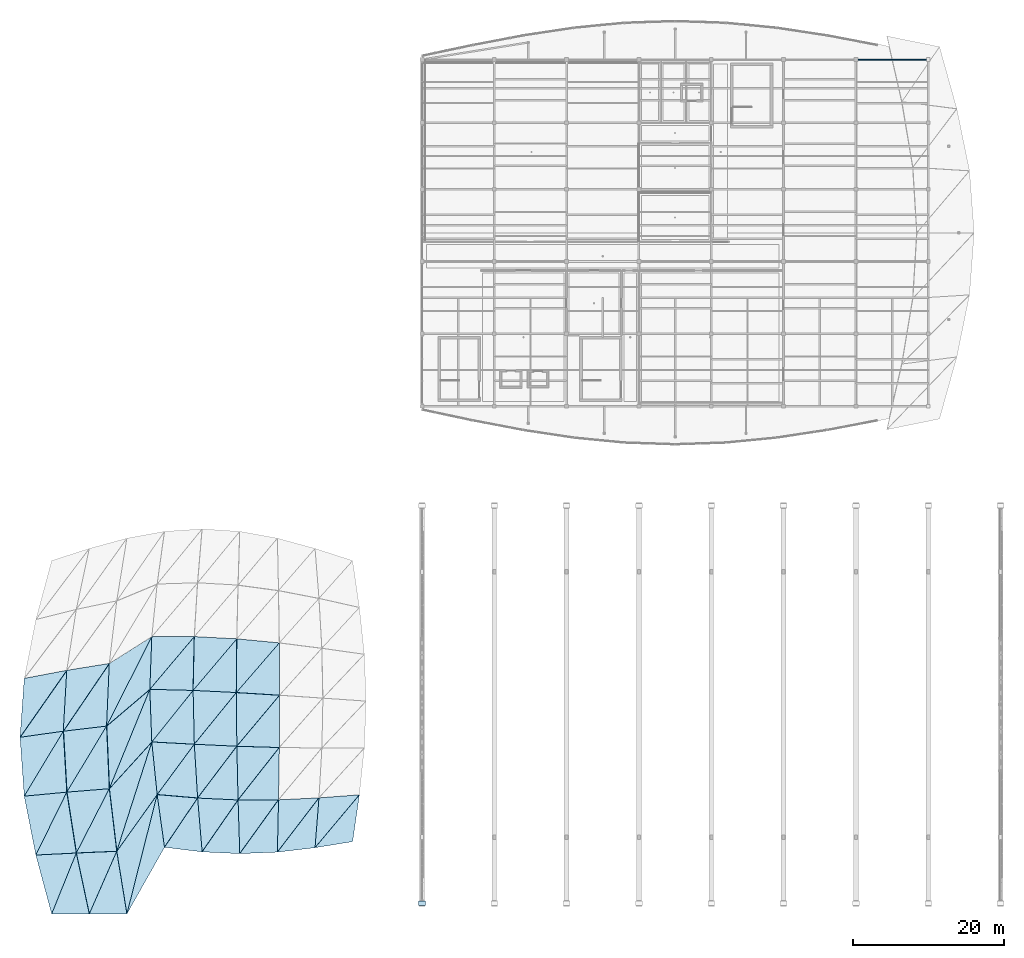
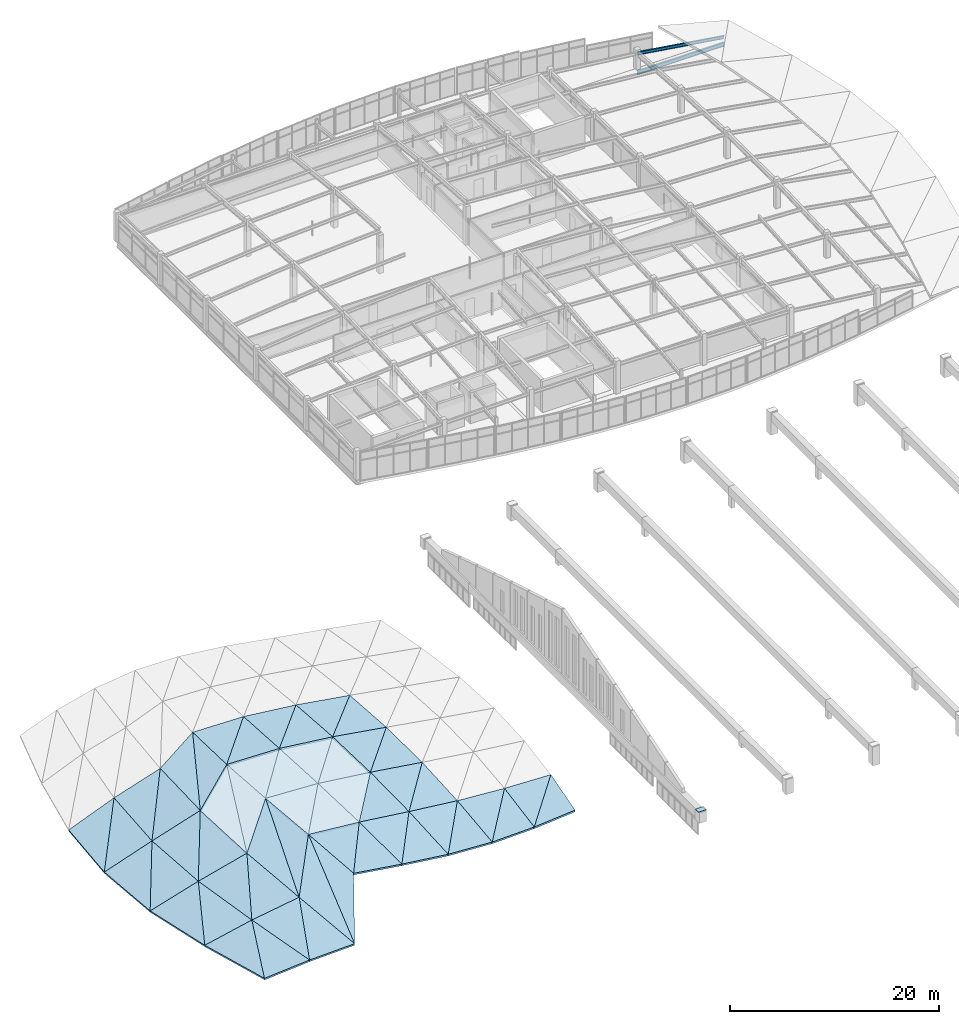
# One storey, part 50 of 65: 52 slabs, 1 beam, 1 member, 1 plate.
"""IFC4 building model written with IfcOpenShell, lengths in metres."""

import ifcopenshell
import ifcopenshell.guid

model = None  # the IFC model being written
_history = None  # IfcOwnerHistory: only IFC2X3 demands one
_inside = {}  # id of a spatial element -> (the spatial element, [elements in it])
_under = {}  # id of a project, library or spatial element -> (it, [spatial elements below it])
_declared = {}  # id of a project -> (the project, [libraries it declares])
_typed = {}  # id of a type object -> (the type object, [elements of that type])
_made_of = {}  # id of a material, layer set ... -> (it, [elements and type objects made of it])


def new_model(schema):
    """Start an empty IFC model of exactly this schema.

    Asked for "IFC4X3", IfcOpenShell would pick the latest addendum, in which some entities
    have other attributes; the version numbers below select the first issue.
    IFC2X3 requires an IfcOwnerHistory on every rooted entity: one is made here for all.
    """
    global model, _history
    if schema == "IFC4X3":
        model = ifcopenshell.file(schema_version=(4, 3, 0, 0))
    else:
        model = ifcopenshell.file(schema=schema)
    _inside.clear()
    _under.clear()
    _declared.clear()
    _typed.clear()
    _made_of.clear()
    _history = None
    if model.schema == "IFC2X3":
        org = make("IfcOrganization", Name="unknown")
        user = make(
            "IfcPersonAndOrganization",
            ThePerson=make("IfcPerson", FamilyName="unknown"),
            TheOrganization=org,
        )
        app = make(
            "IfcApplication",
            ApplicationDeveloper=org,
            Version="unknown",
            ApplicationFullName="unknown",
            ApplicationIdentifier="unknown",
        )
        _history = make(
            "IfcOwnerHistory",
            OwningUser=user,
            OwningApplication=app,
            ChangeAction="ADDED",
            CreationDate=0,
        )
    return model


def make(cls, **values):
    """One entity of the class cls with the attributes given. An attribute that is None is left unset."""
    return model.create_entity(
        cls, **{name: value for name, value in values.items() if value is not None}
    )


def rooted(cls, **values):
    """An entity with a GlobalId (a new one), such as an element, a storey or a relation."""
    return make(cls, GlobalId=ifcopenshell.guid.new(), OwnerHistory=_history, **values)


def si_unit(unit_type, name, prefix=None):
    """IfcSIUnit, for example si_unit("LENGTHUNIT", "METRE", prefix="MILLI")."""
    return make("IfcSIUnit", UnitType=unit_type, Prefix=prefix, Name=name)


def assignment(units):
    """IfcUnitAssignment: the units of a project."""
    return None if units is None else make("IfcUnitAssignment", Units=units)


def point(xyz):
    """IfcCartesianPoint."""
    return None if xyz is None else make("IfcCartesianPoint", Coordinates=xyz)


def direction(xyz):
    """IfcDirection."""
    return None if xyz is None else make("IfcDirection", DirectionRatios=xyz)


def frame(location, z_axis=None, x_axis=None):
    """IfcAxis2Placement3D, a coordinate frame: its origin and axes. An axis left out is left unset."""
    return make(
        "IfcAxis2Placement3D",
        Location=point(location),
        Axis=direction(z_axis),
        RefDirection=direction(x_axis),
    )


def frame_2d(location, x_axis=None):
    """IfcAxis2Placement2D, a coordinate frame in the plane: its origin and x axis."""
    return make(
        "IfcAxis2Placement2D", Location=point(location), RefDirection=direction(x_axis)
    )


def origin():
    """The frame at (0, 0, 0) with its axes left unset."""
    return frame((0.0, 0.0, 0.0))


def origin_2d():
    """The frame at (0, 0) in the plane with its x axis left unset."""
    return frame_2d((0.0, 0.0))


def place(relative_to, where):
    """IfcLocalPlacement: puts the frame where relative to a parent placement (None: the world)."""
    return make(
        "IfcLocalPlacement", PlacementRelTo=relative_to, RelativePlacement=where
    )


def context(
    kind, dimensions, precision=None, world=None, true_north=None, identifier=None
):
    """IfcGeometricRepresentationContext, for example the 3D "Model" context."""
    return make(
        "IfcGeometricRepresentationContext",
        ContextIdentifier=identifier,
        ContextType=kind,
        CoordinateSpaceDimension=dimensions,
        Precision=precision,
        WorldCoordinateSystem=world,
        TrueNorth=true_north,
    )


def subcontext(parent, identifier, kind, view, scale=None):
    """IfcGeometricRepresentationSubContext, for example "Body" below "Model"."""
    return make(
        "IfcGeometricRepresentationSubContext",
        ContextIdentifier=identifier,
        ContextType=kind,
        ParentContext=parent,
        TargetScale=scale,
        TargetView=view,
    )


def project(units=None, contexts=None):
    """IfcProject with its units and contexts."""
    return rooted(
        "IfcProject",
        Name="project",
        RepresentationContexts=contexts,
        UnitsInContext=assignment(units),
    )


def spatial(cls, under=None, at=None, **own):
    """A site, building, storey or space (cls), placed at a placement, below another one or the project."""
    s = rooted(cls, ObjectPlacement=at, **own)
    if under is not None:
        _under.setdefault(under.id(), (under, []))[1].append(s)
    return s


def polyline(points):
    """IfcPolyline through the points."""
    return make("IfcPolyline", Points=[point(p) for p in points])


def profile(cls, at=None, kind="AREA", **sizes):
    """A parametric profile (cls). Its sizes go by their IFC names, for example OverallWidth=200.0."""
    return make(cls, ProfileType=kind, Position=at, **sizes)


def rectangle(**sizes):
    """IfcRectangleProfileDef."""
    return profile("IfcRectangleProfileDef", **sizes)


def i_section(**sizes):
    """IfcIShapeProfileDef."""
    return profile("IfcIShapeProfileDef", **sizes)


def outline(outer, holes=None, kind="AREA"):
    """IfcArbitraryClosedProfileDef: a profile drawn as a closed curve; with holes, ...WithVoids."""
    if holes is None:
        return make("IfcArbitraryClosedProfileDef", ProfileType=kind, OuterCurve=outer)
    return make(
        "IfcArbitraryProfileDefWithVoids",
        ProfileType=kind,
        OuterCurve=outer,
        InnerCurves=holes,
    )


def extrude(swept, where, along, depth):
    """IfcExtrudedAreaSolid: the profile swept, set in the frame where, extruded along a direction by depth."""
    return make(
        "IfcExtrudedAreaSolid",
        SweptArea=swept,
        Position=where,
        ExtrudedDirection=direction(along),
        Depth=depth,
    )


def shape(context_of_items, identifier, shape_type, items):
    """IfcShapeRepresentation: the items that make up one representation, for example the "Body"."""
    return make(
        "IfcShapeRepresentation",
        ContextOfItems=context_of_items,
        RepresentationIdentifier=identifier,
        RepresentationType=shape_type,
        Items=items,
    )


def material(Name=None, Category=None):
    """IfcMaterial."""
    return make("IfcMaterial", Name=Name, Category=Category)


def layer(
    of_material, thickness, ventilated=None, Name=None, Category=None, Priority=None
):
    """IfcMaterialLayer: one layer of a wall or slab, of a material (None: an air gap)."""
    return make(
        "IfcMaterialLayer",
        Material=of_material,
        LayerThickness=thickness,
        IsVentilated=ventilated,
        Name=Name,
        Category=Category,
        Priority=Priority,
    )


def layer_set(layers, Name=None):
    """IfcMaterialLayerSet."""
    return make("IfcMaterialLayerSet", MaterialLayers=layers, LayerSetName=Name)


def material_profile(
    of_material, cross_section, Name=None, Category=None, Priority=None
):
    """IfcMaterialProfile: a cross section and its material."""
    return make(
        "IfcMaterialProfile",
        Name=Name,
        Material=of_material,
        Profile=cross_section,
        Priority=Priority,
        Category=Category,
    )


def profile_set(profiles, Name=None, composite=None):
    """IfcMaterialProfileSet."""
    return make(
        "IfcMaterialProfileSet",
        Name=Name,
        MaterialProfiles=profiles,
        CompositeProfile=composite,
    )


def made_of(thing, what):
    """Note that an element or type object is made of a material, layer set ...; save() writes the relation."""
    if what is not None:
        _made_of.setdefault(what.id(), (what, []))[1].append(thing)
    return thing


def type_object(cls, material=None, **own):
    """A type object (cls), such as IfcWallType, which elements share."""
    return made_of(rooted(cls, **own), material)


def element(
    cls,
    number,
    at=None,
    inside=None,
    cuts=None,
    type_object=None,
    material=None,
    context=None,
    identifier="Body",
    shape_type=None,
    held_by="IfcProductDefinitionShape",
    body=None,
    shapes=None,
    **own,
):
    """One element of the class cls, such as IfcWall. Its Tag is "e" and its number.

    at: its placement. inside: the storey or other place that contains it. cuts: it is an
    opening in that element (IfcRelVoidsElement). A single representation is given by context,
    identifier, shape_type and body (its items); several are given by shapes. held_by: the class
    of the entity that holds the representations. save() writes the other relations.
    """
    e = rooted(cls, Tag="e%d" % number, ObjectPlacement=at, **own)
    if body is not None:
        shapes = [shape(context, identifier, shape_type, body)]
    if shapes is not None:
        e.Representation = make(held_by, Representations=shapes)
    if inside is not None:
        _inside.setdefault(inside.id(), (inside, []))[1].append(e)
    if cuts is not None:
        rooted(
            "IfcRelVoidsElement", RelatingBuildingElement=cuts, RelatedOpeningElement=e
        )
    if type_object is not None:
        _typed.setdefault(type_object.id(), (type_object, []))[1].append(e)
    return made_of(e, material)


def aggregate(whole, parts):
    """IfcRelAggregates: a whole, such as a stair, and the parts it consists of."""
    return rooted("IfcRelAggregates", RelatingObject=whole, RelatedObjects=parts)


def save(model, path):
    """Write the relations noted so far, then the file.

    IfcRelAggregates (storeys below a building ...), IfcRelContainedInSpatialStructure (elements
    in a storey), IfcRelDefinesByType, IfcRelAssociatesMaterial and IfcRelDeclares: one each for
    every whole, place, type object, material and project.
    """
    for whole, parts in _under.values():
        aggregate(whole, parts)
    for where, things in _inside.values():
        rooted(
            "IfcRelContainedInSpatialStructure",
            RelatedElements=things,
            RelatingStructure=where,
        )
    for kind, things in _typed.values():
        rooted("IfcRelDefinesByType", RelatedObjects=things, RelatingType=kind)
    for what, things in _made_of.values():
        rooted("IfcRelAssociatesMaterial", RelatedObjects=things, RelatingMaterial=what)
    for by, libraries in _declared.values():
        rooted("IfcRelDeclares", RelatingContext=by, RelatedDefinitions=libraries)
    model.write(path)


model = new_model("IFC4")

# Units and contexts
model_context = context("Model", 3, precision=1e-05, world=origin(), true_north=direction((0.0, 1.0)))
body_context = subcontext(model_context, "Body", "Model", "MODEL_VIEW")
ifc_project = project(units=[si_unit("LENGTHUNIT", "METRE"), si_unit("AREAUNIT", "SQUARE_METRE"), si_unit("VOLUMEUNIT", "CUBIC_METRE"), si_unit("PLANEANGLEUNIT", "RADIAN"), si_unit("MASSUNIT", "GRAM", prefix="KILO")], contexts=[model_context])

# Site, building, storey
site_placement = place(None, origin())
site = spatial("IfcSite", under=ifc_project, at=site_placement, CompositionType="ELEMENT")
building_placement = place(site_placement, origin())
building = spatial("IfcBuilding", under=site, at=building_placement, Name="Chalmorin Arch Market", CompositionType="ELEMENT")
storey_placement = place(building_placement, frame((0.0, 0.0, 14.10009765625)))
storey = spatial("IfcBuildingStorey", under=building, at=storey_placement, Name="L03", CompositionType="ELEMENT", Elevation=14.10009765625)

# Beam
ifc_material_1 = material(Name="Steel A992 Grade 50", Category="steel")
ifc_material_profile_1 = material_profile(ifc_material_1, i_section(OverallWidth=0.19091796875, OverallDepth=0.45703125, WebThickness=0.009033203125, FlangeThickness=0.014404296875, FilletRadius=0.02001953125, at=origin_2d()), Name="W18X50")
ifc_profile_set_1 = profile_set([ifc_material_profile_1], Name="Steel A992 Grade 50")
beam_type = type_object("IfcBeamType", Name="PerimeterSpandrelBeam-W18X50", PredefinedType="SPANDREL", material=ifc_profile_set_1)
beam_placement = place(storey_placement, frame((105.60009765625, 118.0, -0.530517578125), z_axis=(1.0, 0.0, 0.0), x_axis=(0.0, 1.0, 0.0)))
element("IfcBeam", 1, at=beam_placement, inside=storey, type_object=beam_type, Name="SP-W18-1501", PredefinedType="SPANDREL", context=body_context, shape_type="SweptSolid", body=[
    extrude(i_section(OverallWidth=0.19091796875, OverallDepth=0.45703125, WebThickness=0.009033203125, FlangeThickness=0.014404296875, FilletRadius=0.02001953125, at=origin_2d()), origin(), (0.0, 0.0, 1.0), 9.599853515625),
])

# Member
ifc_material_profile_2 = material_profile(ifc_material_1, i_section(OverallWidth=0.1708984375, OverallDepth=0.35107421875, WebThickness=0.0068359375, FlangeThickness=0.009765625, FilletRadius=0.014892578125, at=origin_2d()), Name="W14X30")
ifc_profile_set_2 = profile_set([ifc_material_profile_2], Name="Steel A992 Grade 50")
member_type = type_object("IfcMemberType", Name="RoofSteelPurlin-W14X30", PredefinedType="PURLIN", material=ifc_profile_set_2)
member_placement = place(storey_placement, frame((105.60009765625, 118.0, 1.72900390625), z_axis=(0.988933216552, 0.0, -0.1483613602), x_axis=(0.0, 1.0, 0.0)))
element("IfcMember", 2, at=member_placement, inside=storey, type_object=member_type, Name="PR-W14-0125", PredefinedType="PURLIN", context=body_context, shape_type="SweptSolid", body=[
    extrude(i_section(OverallWidth=0.1708984375, OverallDepth=0.35107421875, WebThickness=0.0068359375, FlangeThickness=0.009765625, FilletRadius=0.014892578125, at=origin_2d()), origin(), (0.0, 0.0, 1.0), 9.707275390625),
])

# Plate
ifc_material_2 = material(Name="Steel A572 Grade 50", Category="steel")
ifc_layer_1 = layer(ifc_material_2, 0.035888671875)
ifc_layer_set_1 = layer_set([ifc_layer_1], Name="Steel A572 Grade 50")
plate_type = type_object("IfcPlateType", Name="ArchSpringBasePlate-900x600x36", PredefinedType="SHEET", material=ifc_layer_set_1)
plate_placement = place(storey_placement, frame((48.0, 6.0, 1.25), z_axis=(0.0, 0.0, 1.0), x_axis=(1.0, 0.0, 0.0)))
element("IfcPlate", 3, at=plate_placement, inside=storey, type_object=plate_type, Name="GP-02-029", PredefinedType="SHEET", context=body_context, shape_type="SweptSolid", body=[
    extrude(rectangle(XDim=0.89990234375, YDim=0.60009765625, at=origin_2d()), origin(), (0.0, 0.0, 1.0), 0.035888671875),
])

# Slabs
ifc_material_3 = material(Name="Concrete C40/50", Category="concrete")
ifc_layer_2 = layer(ifc_material_3, 0.2099609375)
ifc_layer_set_2 = layer_set([ifc_layer_2], Name="Concrete C40/50")
slab_type = type_object("IfcSlabType", Name="PavilionSlopedRoofSlab-210", PredefinedType="ROOF", material=ifc_layer_set_2)
slab_1_placement = place(storey_placement, frame((-1.14990234375, 4.60009765625, -0.444091796875), z_axis=(-0.079463434585, -0.064453712677, 0.994751869305), x_axis=(0.996824568912, 0.0, 0.079629007363)))
element("IfcSlab", 4, at=slab_1_placement, inside=storey, type_object=slab_type, Name="RS-210-142", PredefinedType="ROOF", context=body_context, shape_type="SweptSolid", body=[
    extrude(outline(polyline([(0.0, 0.0), (5.0098047742001794, 0.0), (3.3209207548419304, 8.100828446121984), (0.0, 0.0)])), origin(), (0.0, 0.0, -1.0), 0.2099609375),
])
slab_2_placement = place(storey_placement, frame((-1.14990234375, 4.60009765625, -0.444091796875), z_axis=(-0.167107379966, -0.028119797599, 0.985537620055), x_axis=(0.373359003674, 0.923344785245, 0.089651893107)))
element("IfcSlab", 5, at=slab_2_placement, inside=storey, type_object=slab_type, Name="RS-210-143", PredefinedType="ROOF", context=body_context, shape_type="SweptSolid", body=[
    extrude(outline(polyline([(0.0, 0.0), (8.755109146860422, -7.771561172376096e-16), (6.421669653958786, 4.928905883004072), (0.0, 0.0)])), origin(), (0.0, 0.0, -1.0), 0.2099609375),
])
slab_3_placement = place(storey_placement, frame((-3.25, 12.4169921875, -0.5771484375), z_axis=(-0.166681904393, -0.036034659302, 0.985352041697), x_axis=(0.984513016932, 0.048977183417, 0.16833108743)))
element("IfcSlab", 6, at=slab_3_placement, inside=storey, type_object=slab_type, Name="RS-210-144", PredefinedType="ROOF", context=body_context, shape_type="SweptSolid", body=[
    extrude(outline(polyline([(0.0, 0.0), (5.453352461609757, -1.0408340855860843e-17), (4.619759154681957, 8.140851352762946), (0.0, 0.0)])), origin(), (0.0, 0.0, -1.0), 0.2099609375),
])
slab_4_placement = place(storey_placement, frame((-3.25, 12.4169921875, -0.5771484375), z_axis=(-0.201815040337, -0.018033144743, 0.979257624522), x_axis=(0.438655513844, 0.892282383672, 0.106833927025)))
element("IfcSlab", 7, at=slab_4_placement, inside=storey, type_object=slab_type, Name="RS-210-145", PredefinedType="ROOF", context=body_context, shape_type="SweptSolid", body=[
    extrude(outline(polyline([(0.0, 0.0), (9.360322398029357, 1.6653345369377348e-16), (6.281278001800554, 4.901704117110411), (0.0, 0.0)])), origin(), (0.0, 0.0, -1.0), 0.2099609375),
])
slab_5_placement = place(storey_placement, frame((-4.787109375, 20.23291015625, -0.75), z_axis=(-0.202659380863, -0.009036593844, 0.97920759562), x_axis=(0.974868365297, 0.092619664714, 0.202616060694)))
element("IfcSlab", 8, at=slab_5_placement, inside=storey, type_object=slab_type, Name="RS-210-146", PredefinedType="ROOF", context=body_context, shape_type="SweptSolid", body=[
    extrude(outline(polyline([(0.0, 0.0), (5.788541927432602, 3.8163916471489756e-17), (6.082718296973175, 8.091852017674082), (0.0, 0.0)])), origin(), (0.0, 0.0, -1.0), 0.2099609375),
])
slab_6_placement = place(storey_placement, frame((-4.787109375, 20.23291015625, -0.75), z_axis=(-0.194708791719, -0.01402287622, 0.980760850243), x_axis=(0.511813851946, 0.851527824169, 0.113784645815)))
element("IfcSlab", 9, at=slab_6_placement, inside=storey, type_object=slab_type, Name="RS-210-147", PredefinedType="ROOF", context=body_context, shape_type="SweptSolid", body=[
    extrude(outline(polyline([(0.0, 0.0), (10.123118637863941, -3.608224830031759e-16), (6.368365883658319, 4.568208488237516), (0.0, 0.0)])), origin(), (0.0, 0.0, -1.0), 0.2099609375),
])
slab_7_placement = place(storey_placement, frame((-5.35009765625, 28.050048828125, -0.75), z_axis=(-0.198412338887, 0.013525728281, 0.980025305006), x_axis=(0.971399237392, 0.135792761467, 0.194791805594)))
element("IfcSlab", 10, at=slab_7_placement, inside=storey, type_object=slab_type, Name="RS-210-148", PredefinedType="ROOF", context=body_context, shape_type="SweptSolid", body=[
    extrude(outline(polyline([(0.0, 0.0), (5.913264499176408, -9.71445146547012e-17), (7.456327451387666, 7.9497950339982975), (0.0, 0.0)])), origin(), (0.0, 0.0, -1.0), 0.2099609375),
])
slab_8_placement = place(storey_placement, frame((-5.35009765625, 28.050048828125, -0.75), z_axis=(-0.199581999252, 0.014374292282, 0.979775691317), x_axis=(0.569396219683, 0.815455128937, 0.104023447845)))
element("IfcSlab", 11, at=slab_8_placement, inside=storey, type_object=slab_type, Name="RS-210-149", PredefinedType="ROOF", context=body_context, shape_type="SweptSolid", body=[
    extrude(outline(polyline([(0.0, 0.0), (10.89936053834817, -3.608224830031759e-16), (6.69489013693384, 4.074216731090404), (0.0, 0.0)])), origin(), (0.0, 0.0, -1.0), 0.2099609375),
])
slab_9_placement = place(storey_placement, frame((3.843994140625, 4.60009765625, -0.045166015625), z_axis=(-0.032840313104, -0.108840321483, 0.993516632098), x_axis=(0.999454143367, 0.0, 0.033036575273)))
element("IfcSlab", 12, at=slab_9_placement, inside=storey, type_object=slab_type, Name="RS-210-154", PredefinedType="ROOF", context=body_context, shape_type="SweptSolid", body=[
    extrude(outline(polyline([(0.0, 0.0), (4.9956468288307905, 3.469446951953614e-18), (3.6751387169696006, 8.361686441506956), (0.0, 0.0)])), origin(), (0.0, 0.0, -1.0), 0.2099609375),
])
slab_10_placement = place(storey_placement, frame((3.843994140625, 4.60009765625, -0.045166015625), z_axis=(-0.115970890339, -0.072047776503, 0.990636093879), x_axis=(0.398859945273, 0.91003791025, 0.112879342507)))
element("IfcSlab", 13, at=slab_10_placement, inside=storey, type_object=slab_type, Name="RS-210-155", PredefinedType="ROOF", context=body_context, shape_type="SweptSolid", body=[
    extrude(outline(polyline([(0.0, 0.0), (9.133698305453832, -3.7470027081099033e-16), (6.712229773292933, 4.839599385782123), (0.0, 0.0)])), origin(), (0.0, 0.0, -1.0), 0.2099609375),
])
slab_11_placement = place(storey_placement, frame((2.118896484375, 12.68408203125, 0.3408203125), z_axis=(-0.116105827357, -0.069367515268, 0.990811578798), x_axis=(0.991976640644, 0.042136901144, 0.119192390603)))
element("IfcSlab", 14, at=slab_11_placement, inside=storey, type_object=slab_type, Name="RS-210-156", PredefinedType="ROOF", context=body_context, shape_type="SweptSolid", body=[
    extrude(outline(polyline([(0.0, 0.0), (5.411583138704252, -3.469446951953614e-17), (4.837215721914239, 8.362582303325448), (0.0, 0.0)])), origin(), (0.0, 0.0, -1.0), 0.2099609375),
])
slab_12_placement = place(storey_placement, frame((2.118896484375, 12.68408203125, 0.3408203125), z_axis=(-0.17635029547, -0.037527287741, 0.983611852289), x_axis=(0.453390815195, 0.88386064107, 0.11500928599)))
element("IfcSlab", 15, at=slab_12_placement, inside=storey, type_object=slab_type, Name="RS-210-157", PredefinedType="ROOF", context=body_context, shape_type="SweptSolid", body=[
    extrude(outline(polyline([(0.0, 0.0), (9.660819774751326, -8.326672684688674e-16), (6.582807964543276, 4.861581826019462), (0.0, 0.0)])), origin(), (0.0, 0.0, -1.0), 0.2099609375),
])
slab_13_placement = place(storey_placement, frame((0.85595703125, 20.76904296875, 0.4228515625), z_axis=(-0.177925251195, -0.018529239442, 0.983869540271), x_axis=(0.980711451732, 0.078876117884, 0.178839611017)))
element("IfcSlab", 16, at=slab_13_placement, inside=storey, type_object=slab_type, Name="RS-210-158", PredefinedType="ROOF", context=body_context, shape_type="SweptSolid", body=[
    extrude(outline(polyline([(0.0, 0.0), (5.754053749737048, 4.2500725161431774e-17), (6.070881972751788, 8.314357417381398), (0.0, 0.0)])), origin(), (0.0, 0.0, -1.0), 0.2099609375),
])
slab_14_placement = place(storey_placement, frame((0.85595703125, 20.76904296875, 0.4228515625), z_axis=(-0.193907397427, -0.008531900237, 0.980982735781), x_axis=(0.512974993395, 0.851480150609, 0.10880353519)))
element("IfcSlab", 17, at=slab_14_placement, inside=storey, type_object=slab_type, Name="RS-210-159", PredefinedType="ROOF", context=body_context, shape_type="SweptSolid", body=[
    extrude(outline(polyline([(0.0, 0.0), (10.294860231739316, 2.498001805406602e-16), (6.644117420764733, 4.628208347883959), (0.0, 0.0)])), origin(), (0.0, 0.0, -1.0), 0.2099609375),
])
slab_15_placement = place(storey_placement, frame((0.39404296875, 28.85302734375, 0.40185546875), z_axis=(-0.198986385803, 0.037057723294, 0.979301354747), x_axis=(0.974240954007, 0.115676358651, 0.193580845089)))
element("IfcSlab", 18, at=slab_15_placement, inside=storey, type_object=slab_type, Name="RS-210-160", PredefinedType="ROOF", context=body_context, shape_type="SweptSolid", body=[
    extrude(outline(polyline([(0.0, 0.0), (5.894763403505297, 1.942890293094024e-16), (7.162354308610645, 8.226293512070376), (0.0, 0.0)])), origin(), (0.0, 0.0, -1.0), 0.2099609375),
])
slab_16_placement = place(storey_placement, frame((0.39404296875, 28.85302734375, 0.40185546875), z_axis=(-0.162394020232, 0.011482735393, 0.986659175694), x_axis=(0.559710318867, 0.824568840948, 0.082526271521)))
element("IfcSlab", 19, at=slab_16_placement, inside=storey, type_object=slab_type, Name="RS-210-161", PredefinedType="ROOF", context=body_context, shape_type="SweptSolid", body=[
    extrude(outline(polyline([(0.0, 0.0), (10.90739309774818, 1.2212453270876722e-15), (6.923653983408145, 4.200392823904385), (0.0, 0.0)])), origin(), (0.0, 0.0, -1.0), 0.2099609375),
])
slab_17_placement = place(storey_placement, frame((8.8369140625, 4.60009765625, 0.119873046875), z_axis=(-0.047209954666, -0.10016361622, 0.993850325837), x_axis=(0.488457908742, 0.865570528646, 0.110437907114)))
element("IfcSlab", 20, at=slab_17_placement, inside=storey, type_object=slab_type, Name="RS-210-166", PredefinedType="ROOF", context=body_context, shape_type="SweptSolid", body=[
    extrude(outline(polyline([(0.0, 0.0), (10.224300877563422, -3.660266534311063e-16), (15.8693093037314, 4.283721276511658), (0.0, 0.0)])), origin(), (0.0, 0.0, -1.0), 0.2099609375),
])
slab_18_placement = place(storey_placement, frame((8.8369140625, 4.60009765625, 0.119873046875), z_axis=(-0.02067366805, -0.106920325765, 0.994052636125), x_axis=(0.244507302669, 0.963532847693, 0.108722722363)))
element("IfcSlab", 21, at=slab_18_placement, inside=storey, type_object=slab_type, Name="RS-210-167", PredefinedType="ROOF", context=body_context, shape_type="SweptSolid", body=[
    extrude(outline(polyline([(0.0, 0.0), (16.437312607367865, 6.938893903907228e-18), (7.7729975469548025, 3.3529167831318265), (0.0, 0.0)])), origin(), (0.0, 0.0, -1.0), 0.2099609375),
])
slab_19_placement = place(storey_placement, frame((7.487060546875, 12.912109375, 0.98583984375), z_axis=(-0.10814050418, -0.044410927401, 0.993143142192), x_axis=(0.577894309551, 0.81006639017, 0.099149435221)))
element("IfcSlab", 22, at=slab_19_placement, inside=storey, type_object=slab_type, Name="RS-210-168", PredefinedType="ROOF", context=body_context, shape_type="SweptSolid", body=[
    extrude(outline(polyline([(0.0, 0.0), (9.290447051714342, 9.783840404509192e-16), (14.562532173451352, 4.647704262886546), (0.0, 0.0)])), origin(), (0.0, 0.0, -1.0), 0.2099609375),
])
slab_20_placement = place(storey_placement, frame((7.487060546875, 12.912109375, 0.98583984375), z_axis=(-0.053423262715, -0.062241742428, 0.996630282753), x_axis=(0.304588452554, 0.94947715987, 0.075624053424)))
element("IfcSlab", 23, at=slab_20_placement, inside=storey, type_object=slab_type, Name="RS-210-169", PredefinedType="ROOF", context=body_context, shape_type="SweptSolid", body=[
    extrude(outline(polyline([(0.0, 0.0), (15.286219225762123, -1.2351231148954867e-15), (7.625207238679365, 3.4812203717308448), (0.0, 0.0)])), origin(), (0.0, 0.0, -1.0), 0.2099609375),
])
slab_21_placement = place(storey_placement, frame((6.4990234375, 21.222900390625, 1.451904296875), z_axis=(-0.143492384179, 0.020509393025, 0.98943888163), x_axis=(0.670722714702, 0.737162502602, 0.081990760089)))
element("IfcSlab", 24, at=slab_21_placement, inside=storey, type_object=slab_type, Name="RS-210-170", PredefinedType="ROOF", context=body_context, shape_type="SweptSolid", body=[
    extrude(outline(polyline([(0.0, 0.0), (8.414867791164609, 7.077671781985373e-16), (13.376209199808514, 4.932896345345118), (0.0, 0.0)])), origin(), (0.0, 0.0, -1.0), 0.2099609375),
])
slab_22_placement = place(storey_placement, frame((6.4990234375, 21.222900390625, 1.451904296875), z_axis=(-0.060746099612, -0.013580542986, 0.998060859985), x_axis=(0.377509599012, 0.925322348951, 0.035567586171)))
element("IfcSlab", 25, at=slab_22_placement, inside=storey, type_object=slab_type, Name="RS-210-171", PredefinedType="ROOF", context=body_context, shape_type="SweptSolid", body=[
    extrude(outline(polyline([(0.0, 0.0), (14.256803250061395, 1.97758476261356e-16), (7.557847819014413, 3.4796344249766786), (0.0, 0.0)])), origin(), (0.0, 0.0, -1.0), 0.2099609375),
])
slab_23_placement = place(storey_placement, frame((6.136962890625, 29.534912109375, 1.54296875), z_axis=(-0.143002828559, 0.084256651825, 0.986129305744), x_axis=(0.760937755208, 0.646480142335, 0.055110418857)))
element("IfcSlab", 26, at=slab_23_placement, inside=storey, type_object=slab_type, Name="RS-210-172", PredefinedType="ROOF", context=body_context, shape_type="SweptSolid", body=[
    extrude(outline(polyline([(0.0, 0.0), (7.548765435396481, -3.7470027081099033e-16), (12.234918869526261, 5.220519697072984), (0.0, 0.0)])), origin(), (0.0, 0.0, -1.0), 0.2099609375),
])
slab_24_placement = place(storey_placement, frame((6.136962890625, 29.534912109375, 1.54296875), z_axis=(-0.03657503742, 0.030550413405, 0.998863823991), x_axis=(0.451513905982, 0.892199260094, -0.010755137958)))
element("IfcSlab", 27, at=slab_24_placement, inside=storey, type_object=slab_type, Name="RS-210-173", PredefinedType="ROOF", context=body_context, shape_type="SweptSolid", body=[
    extrude(outline(polyline([(0.0, 0.0), (13.302145152245815, 4.874572967494828e-16), (7.582037708228533, 3.433860195237652), (0.0, 0.0)])), origin(), (0.0, 0.0, -1.0), 0.2099609375),
])
slab_25_placement = place(storey_placement, frame((13.8310546875, 13.449951171875, 1.2490234375), z_axis=(0.047170359949, -0.107136498206, 0.993124729273), x_axis=(0.99077516959, -0.121431109761, -0.060158531441)))
element("IfcSlab", 28, at=slab_25_placement, inside=storey, type_object=slab_type, Name="RS-210-178", PredefinedType="ROOF", context=body_context, shape_type="SweptSolid", body=[
    extrude(outline(polyline([(0.0, 0.0), (5.040393257371613, 3.469446951953614e-18), (3.5306117938751918, 7.052822012675399), (0.0, 0.0)])), origin(), (0.0, 0.0, -1.0), 0.2099609375),
])
slab_26_placement = place(storey_placement, frame((13.8310546875, 13.449951171875, 1.2490234375), z_axis=(0.02234674929, -0.090625770582, 0.995634266436), x_axis=(0.557112448357, 0.828053956328, 0.062867839905)))
element("IfcSlab", 29, at=slab_26_placement, inside=storey, type_object=slab_type, Name="RS-210-179", PredefinedType="ROOF", context=body_context, shape_type="SweptSolid", body=[
    extrude(outline(polyline([(0.0, 0.0), (7.887174271025666, 3.608224830031759e-16), (5.284597192821382, 4.721167293791918), (0.0, 0.0)])), origin(), (0.0, 0.0, -1.0), 0.2099609375),
])
slab_27_placement = place(storey_placement, frame((12.85595703125, 20.43798828125, 1.906982421875), z_axis=(0.026217679958, -0.046198360603, 0.998588175744), x_axis=(0.995946116633, -0.084776788393, -0.030070399302)))
element("IfcSlab", 30, at=slab_27_placement, inside=storey, type_object=slab_type, Name="RS-210-180", PredefinedType="ROOF", context=body_context, shape_type="SweptSolid", body=[
    extrude(outline(polyline([(0.0, 0.0), (5.390995090330248, -6.071532165918825e-18), (4.337632279003001, 7.087853928756191), (0.0, 0.0)])), origin(), (0.0, 0.0, -1.0), 0.2099609375),
])
slab_28_placement = place(storey_placement, frame((12.85595703125, 20.43798828125, 1.906982421875), z_axis=(0.00798075028, -0.032776043529, 0.999430857336), x_axis=(0.593267393621, 0.804714203501, 0.021652952464)))
element("IfcSlab", 31, at=slab_28_placement, inside=storey, type_object=slab_type, Name="RS-210-181", PredefinedType="ROOF", context=body_context, shape_type="SweptSolid", body=[
    extrude(outline(polyline([(0.0, 0.0), (8.309797055478152, -5.368969158148218e-16), (5.205523436936323, 4.722135342575558), (0.0, 0.0)])), origin(), (0.0, 0.0, -1.0), 0.2099609375),
])
slab_29_placement = place(storey_placement, frame((12.14306640625, 27.426025390625, 2.141845703125), z_axis=(0.011036621989, 0.024469197367, 0.999639660755), x_axis=(0.998532921876, -0.053268337848, -0.009720499607)))
element("IfcSlab", 32, at=slab_29_placement, inside=storey, type_object=slab_type, Name="RS-210-182", PredefinedType="ROOF", context=body_context, shape_type="SweptSolid", body=[
    extrude(outline(polyline([(0.0, 0.0), (5.651112889721452, 8.239936510889834e-18), (5.111591536353952, 7.127560167110822), (0.0, 0.0)])), origin(), (0.0, 0.0, -1.0), 0.2099609375),
])
slab_30_placement = place(storey_placement, frame((12.14306640625, 27.426025390625, 2.141845703125), z_axis=(0.008533164888, 0.026473828458, 0.999613085901), x_axis=(0.625006513968, 0.780186495948, -0.025997866039)))
element("IfcSlab", 33, at=slab_30_placement, inside=storey, type_object=slab_type, Name="RS-210-183", PredefinedType="ROOF", context=body_context, shape_type="SweptSolid", body=[
    extrude(outline(polyline([(0.0, 0.0), (8.77100233555494, 5.399326818977812e-16), (5.293759578044025, 4.574328853166447), (0.0, 0.0)])), origin(), (0.0, 0.0, -1.0), 0.2099609375),
])
slab_31_placement = place(storey_placement, frame((11.881103515625, 34.4150390625, 1.958984375), z_axis=(0.010145118888, 0.091074614134, 0.995792393636), x_axis=(0.999646244683, -0.025408613692, -0.007860524303)))
element("IfcSlab", 34, at=slab_31_placement, inside=storey, type_object=slab_type, Name="RS-210-184", PredefinedType="ROOF", context=body_context, shape_type="SweptSolid", body=[
    extrude(outline(polyline([(0.0, 0.0), (5.7459291373609185, -1.3877787807814457e-17), (5.730389539731179, 7.175796611161307), (0.0, 0.0)])), origin(), (0.0, 0.0, -1.0), 0.2099609375),
])
slab_32_placement = place(storey_placement, frame((11.881103515625, 34.4150390625, 1.958984375), z_axis=(0.024782310081, 0.078803116992, 0.99658211195), x_axis=(0.643005282177, 0.762056702568, -0.076248207611)))
element("IfcSlab", 35, at=slab_32_placement, inside=storey, type_object=slab_type, Name="RS-210-185", PredefinedType="ROOF", context=body_context, shape_type="SweptSolid", body=[
    extrude(outline(polyline([(0.0, 0.0), (9.183105209122598, 3.885780586188048e-16), (5.536353042190447, 4.308439962209284), (0.0, 0.0)])), origin(), (0.0, 0.0, -1.0), 0.2099609375),
])
slab_33_placement = place(storey_placement, frame((18.824951171875, 12.837890625, 0.94580078125), z_axis=(0.085563833922, -0.102632346587, 0.991032507922), x_axis=(0.994743157748, -0.047364090519, -0.090789278232)))
element("IfcSlab", 36, at=slab_33_placement, inside=storey, type_object=slab_type, Name="RS-210-190", PredefinedType="ROOF", context=body_context, shape_type="SweptSolid", body=[
    extrude(outline(polyline([(0.0, 0.0), (5.020532773810447, -2.0816681711721685e-17), (4.390116755602497, 7.145820687924884), (0.0, 0.0)])), origin(), (0.0, 0.0, -1.0), 0.2099609375),
])
slab_34_placement = place(storey_placement, frame((18.824951171875, 12.837890625, 0.94580078125), z_axis=(0.086893340035, -0.103543089122, 0.990822070885), x_axis=(0.568647033046, 0.821793065572, 0.036009848463)))
element("IfcSlab", 37, at=slab_34_placement, inside=storey, type_object=slab_type, Name="RS-210-191", PredefinedType="ROOF", context=body_context, shape_type="SweptSolid", body=[
    extrude(outline(polyline([(0.0, 0.0), (8.386648820106698, 5.551115123125783e-16), (5.557791988849469, 4.5970301955367585), (0.0, 0.0)])), origin(), (0.0, 0.0, -1.0), 0.2099609375),
])
slab_35_placement = place(storey_placement, frame((18.22509765625, 19.98095703125, 1.744873046875), z_axis=(0.089997876194, -0.045235308282, 0.994914141605), x_axis=(0.994664556999, -0.04649698352, -0.092089356466)))
element("IfcSlab", 38, at=slab_35_placement, inside=storey, type_object=slab_type, Name="RS-210-192", PredefinedType="ROOF", context=body_context, shape_type="SweptSolid", body=[
    extrude(outline(polyline([(0.0, 0.0), (5.397695581489141, 3.469446951953614e-18), (4.870779136085706, 7.120625240262022), (0.0, 0.0)])), origin(), (0.0, 0.0, -1.0), 0.2099609375),
])
slab_36_placement = place(storey_placement, frame((18.22509765625, 19.98095703125, 1.744873046875), z_axis=(0.086206378302, -0.042356544551, 0.995376503376), x_axis=(0.603195117983, 0.797383478274, -0.018309511674)))
element("IfcSlab", 39, at=slab_36_placement, inside=storey, type_object=slab_type, Name="RS-210-193", PredefinedType="ROOF", context=body_context, shape_type="SweptSolid", body=[
    extrude(outline(polyline([(0.0, 0.0), (8.627154409466913, -6.800116025829084e-16), (5.425350512240779, 4.681112938928149), (0.0, 0.0)])), origin(), (0.0, 0.0, -1.0), 0.2099609375),
])
slab_37_placement = place(storey_placement, frame((17.785888671875, 27.125, 2.0869140625), z_axis=(0.089247840971, 0.021687432514, 0.995773306608), x_axis=(0.995010490631, -0.046707033933, -0.088162217047)))
element("IfcSlab", 40, at=slab_37_placement, inside=storey, type_object=slab_type, Name="RS-210-194", PredefinedType="ROOF", context=body_context, shape_type="SweptSolid", body=[
    extrude(outline(polyline([(0.0, 0.0), (5.671363728706969, -1.0408340855860843e-17), (5.291804842374479, 7.121603872663372), (0.0, 0.0)])), origin(), (0.0, 0.0, -1.0), 0.2099609375),
])
slab_38_placement = place(storey_placement, frame((17.785888671875, 27.125, 2.0869140625), z_axis=(0.083954151567, 0.026026304639, 0.996129676248), x_axis=(0.629251817418, 0.773741991166, -0.073249446299)))
element("IfcSlab", 41, at=slab_38_placement, inside=storey, type_object=slab_type, Name="RS-210-195", PredefinedType="ROOF", context=body_context, shape_type="SweptSolid", body=[
    extrude(outline(polyline([(0.0, 0.0), (8.872454012780901, 4.163336342344337e-17), (5.439085706845124, 4.637838278780043), (0.0, 0.0)])), origin(), (0.0, 0.0, -1.0), 0.2099609375),
])
slab_39_placement = place(storey_placement, frame((17.625, 34.26904296875, 1.913818359375), z_axis=(0.08651188475, 0.08461784329, 0.99265075147), x_axis=(0.995406305591, -0.048359306639, -0.082629681422)))
element("IfcSlab", 42, at=slab_39_placement, inside=storey, type_object=slab_type, Name="RS-210-196", PredefinedType="ROOF", context=body_context, shape_type="SweptSolid", body=[
    extrude(outline(polyline([(0.0, 0.0), (5.770403956771289, -2.7755575615628914e-17), (5.536033725043102, 7.152845761954704), (0.0, 0.0)])), origin(), (0.0, 0.0, -1.0), 0.2099609375),
])
slab_40_placement = place(storey_placement, frame((17.625, 34.26904296875, 1.913818359375), z_axis=(0.081121397431, 0.089193132474, 0.992705346011), x_axis=(0.64168004207, 0.757448590442, -0.120492142675)))
element("IfcSlab", 43, at=slab_40_placement, inside=storey, type_object=slab_type, Name="RS-210-197", PredefinedType="ROOF", context=body_context, shape_type="SweptSolid", body=[
    extrude(outline(polyline([(0.0, 0.0), (9.044936257328073, 8.344019919448442e-16), (5.5934102099685035, 4.49511520507191), (0.0, 0.0)])), origin(), (0.0, 0.0, -1.0), 0.2099609375),
])
slab_41_placement = place(storey_placement, frame((23.819091796875, 12.60009765625, 0.489990234375), z_axis=(0.090723149737, -0.084558042511, 0.992279823209), x_axis=(0.995338212887, 0.040444284138, -0.087556278176)))
element("IfcSlab", 44, at=slab_41_placement, inside=storey, type_object=slab_type, Name="RS-210-202", PredefinedType="ROOF", context=body_context, shape_type="SweptSolid", body=[
    extrude(outline(polyline([(0.0, 0.0), (5.0163048672616295, 2.7755575615628914e-17), (5.395778242961897, 6.960364480529245), (0.0, 0.0)])), origin(), (0.0, 0.0, -1.0), 0.2099609375),
])
slab_42_placement = place(storey_placement, frame((23.819091796875, 12.60009765625, 0.489990234375), z_axis=(0.114282828371, -0.1014306247, 0.988256678962), x_axis=(0.583955220406, 0.811632610636, 0.01577358274)))
element("IfcSlab", 45, at=slab_42_placement, inside=storey, type_object=slab_type, Name="RS-210-203", PredefinedType="ROOF", context=body_context, shape_type="SweptSolid", body=[
    extrude(outline(polyline([(0.0, 0.0), (8.806877798007314, -8.673617379884035e-17), (5.667351867340548, 4.397874540245551), (0.0, 0.0)])), origin(), (0.0, 0.0, -1.0), 0.2099609375),
])
slab_43_placement = place(storey_placement, frame((23.593994140625, 19.72998046875, 1.247802734375), z_axis=(0.114580851524, -0.03727844819, 0.992714231672), x_axis=(0.993413471206, 0.003343457355, -0.114536005344)))
element("IfcSlab", 46, at=slab_43_placement, inside=storey, type_object=slab_type, Name="RS-210-204", PredefinedType="ROOF", context=body_context, shape_type="SweptSolid", body=[
    extrude(outline(polyline([(0.0, 0.0), (5.403510298044136, 6.938893903907228e-18), (5.50769865453364, 6.948367862752364), (0.0, 0.0)])), origin(), (0.0, 0.0, -1.0), 0.2099609375),
])
slab_44_placement = place(storey_placement, frame((23.593994140625, 19.72998046875, 1.247802734375), z_axis=(0.123404790207, -0.044293364292, 0.991367417073), x_axis=(0.617835275023, 0.785194344529, -0.041825999766)))
element("IfcSlab", 47, at=slab_44_placement, inside=storey, type_object=slab_type, Name="RS-210-205", PredefinedType="ROOF", context=body_context, shape_type="SweptSolid", body=[
    extrude(outline(polyline([(0.0, 0.0), (8.866485235158379, 1.700029006457271e-15), (5.482384734470408, 4.574319881243443), (0.0, 0.0)])), origin(), (0.0, 0.0, -1.0), 0.2099609375),
])
slab_45_placement = place(storey_placement, frame((23.428955078125, 26.860107421875, 1.5869140625), z_axis=(0.125280167694, 0.015981247468, 0.991992681078), x_axis=(0.991744848058, -0.029562697945, -0.124772606133)))
element("IfcSlab", 48, at=slab_45_placement, inside=storey, type_object=slab_type, Name="RS-210-206", PredefinedType="ROOF", context=body_context, shape_type="SweptSolid", body=[
    extrude(outline(polyline([(0.0, 0.0), (5.690038538946427, -1.734723475976807e-18), (5.539023442502102, 6.944526465704155), (0.0, 0.0)])), origin(), (0.0, 0.0, -1.0), 0.2099609375),
])
slab_46_placement = place(storey_placement, frame((23.428955078125, 26.860107421875, 1.5869140625), z_axis=(0.118366772406, 0.021868712971, 0.9927291003), x_axis=(0.639775081715, 0.762903888575, -0.093088676079)))
element("IfcSlab", 49, at=slab_46_placement, inside=storey, type_object=slab_type, Name="RS-210-207", PredefinedType="ROOF", context=body_context, shape_type="SweptSolid", body=[
    extrude(outline(polyline([(0.0, 0.0), (8.882974081322837, 4.3021142204224816e-16), (5.414945541735345, 4.641085158383587), (0.0, 0.0)])), origin(), (0.0, 0.0, -1.0), 0.2099609375),
])
slab_47_placement = place(storey_placement, frame((23.368896484375, 33.989990234375, 1.43701171875), z_axis=(0.12082467947, 0.066198300655, 0.990464124449), x_axis=(0.991278411651, -0.060933029385, -0.116851514858)))
element("IfcSlab", 50, at=slab_47_placement, inside=storey, type_object=slab_type, Name="RS-210-208", PredefinedType="ROOF", context=body_context, shape_type="SweptSolid", body=[
    extrude(outline(polyline([(0.0, 0.0), (5.793694279021094, -6.938893903907228e-18), (5.384541418949085, 6.947337531501589), (0.0, 0.0)])), origin(), (0.0, 0.0, -1.0), 0.2099609375),
])
slab_48_placement = place(storey_placement, frame((23.368896484375, 33.989990234375, 1.43701171875), z_axis=(0.099979536444, 0.084397179024, 0.991403655665), x_axis=(0.648841998482, 0.749862475728, -0.129268435828)))
element("IfcSlab", 51, at=slab_48_placement, inside=storey, type_object=slab_type, Name="RS-210-209", PredefinedType="ROOF", context=body_context, shape_type="SweptSolid", body=[
    extrude(outline(polyline([(0.0, 0.0), (8.789697666529198, 2.6020852139652106e-16), (5.46482953555384, 4.621013963100749), (0.0, 0.0)])), origin(), (0.0, 0.0, -1.0), 0.2099609375),
])
slab_49_placement = place(storey_placement, frame((28.81201171875, 12.802978515625, 0.05078125), z_axis=(0.074443385698, -0.055220031555, 0.995695199567), x_axis=(0.990890927045, 0.116455721761, -0.067625701988)))
element("IfcSlab", 52, at=slab_49_placement, inside=storey, type_object=slab_type, Name="RS-210-214", PredefinedType="ROOF", context=body_context, shape_type="SweptSolid", body=[
    extrude(outline(polyline([(0.0, 0.0), (5.039804430612942, 9.020562075079397e-17), (6.308944669277131, 6.526754118153391), (0.0, 0.0)])), origin(), (0.0, 0.0, -1.0), 0.2099609375),
])
slab_50_placement = place(storey_placement, frame((28.81201171875, 12.802978515625, 0.05078125), z_axis=(0.113119102835, -0.084847662033, 0.98995199016), x_axis=(0.607990422375, 0.793943080089, -0.001425439812)))
element("IfcSlab", 53, at=slab_50_placement, inside=storey, type_object=slab_type, Name="RS-210-215", PredefinedType="ROOF", context=body_context, shape_type="SweptSolid", body=[
    extrude(outline(polyline([(0.0, 0.0), (9.077516299012222, 2.3375398838787476e-16), (5.604304071574331, 4.145171844207895), (0.0, 0.0)])), origin(), (0.0, 0.0, -1.0), 0.2099609375),
])
slab_51_placement = place(storey_placement, frame((33.805908203125, 13.389892578125, -0.2900390625), z_axis=(0.055965301365, -0.019508209524, 0.998242112318), x_axis=(0.985756595507, 0.159891493151, -0.052140625554)))
element("IfcSlab", 54, at=slab_51_placement, inside=storey, type_object=slab_type, Name="RS-210-226", PredefinedType="ROOF", context=body_context, shape_type="SweptSolid", body=[
    extrude(outline(polyline([(0.0, 0.0), (5.0663020138690555, -1.1275702593849246e-16), (6.943734328831008, 5.995141241197834), (0.0, 0.0)])), origin(), (0.0, 0.0, -1.0), 0.2099609375),
])
slab_52_placement = place(storey_placement, frame((33.805908203125, 13.389892578125, -0.2900390625), z_axis=(0.100721407562, -0.057184439185, 0.993269922012), x_axis=(0.642492036821, 0.766003160294, -0.021050915464)))
element("IfcSlab", 55, at=slab_52_placement, inside=storey, type_object=slab_type, Name="RS-210-227", PredefinedType="ROOF", context=body_context, shape_type="SweptSolid", body=[
    extrude(outline(polyline([(0.0, 0.0), (9.173721433055253, 1.5959455978986625e-16), (5.401530929262576, 3.8772025849120393), (0.0, 0.0)])), origin(), (0.0, 0.0, -1.0), 0.2099609375),
])

save(model, "model.ifc")
